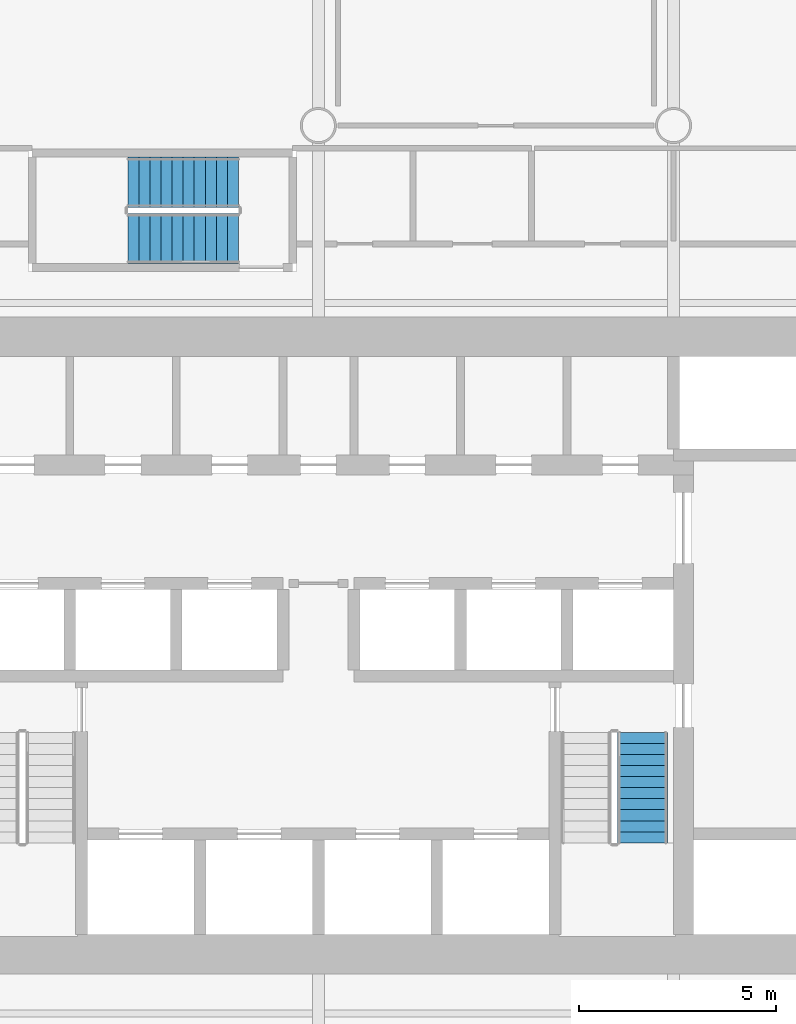
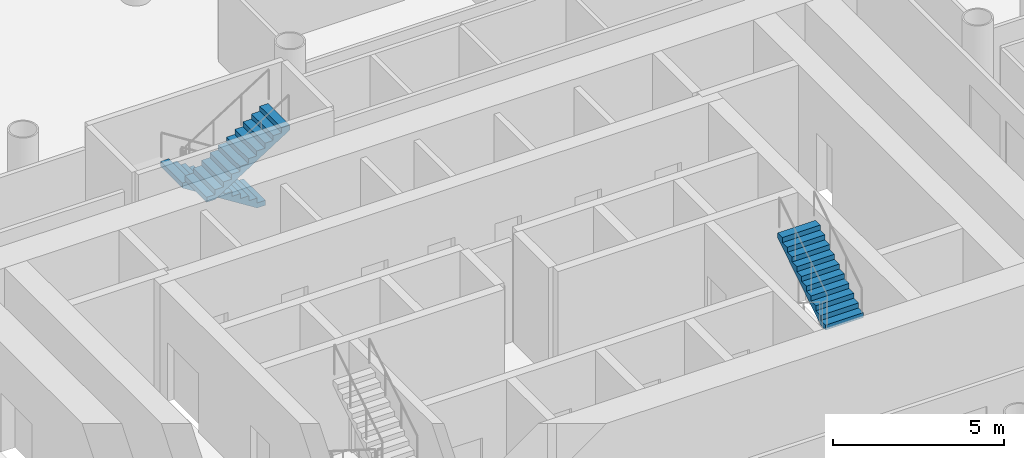
# One storey, part 20 of 25: 3 stair flights, 2 elements without a shape of their own.
"""IFC4 building model written with IfcOpenShell, lengths in metres."""

import ifcopenshell
import ifcopenshell.guid

model = None  # the IFC model being written
_history = None  # IfcOwnerHistory: only IFC2X3 demands one
_inside = {}  # id of a spatial element -> (the spatial element, [elements in it])
_under = {}  # id of a project, library or spatial element -> (it, [spatial elements below it])
_declared = {}  # id of a project -> (the project, [libraries it declares])
_typed = {}  # id of a type object -> (the type object, [elements of that type])
_made_of = {}  # id of a material, layer set ... -> (it, [elements and type objects made of it])


def new_model(schema):
    """Start an empty IFC model of exactly this schema.

    Asked for "IFC4X3", IfcOpenShell would pick the latest addendum, in which some entities
    have other attributes; the version numbers below select the first issue.
    IFC2X3 requires an IfcOwnerHistory on every rooted entity: one is made here for all.
    """
    global model, _history
    if schema == "IFC4X3":
        model = ifcopenshell.file(schema_version=(4, 3, 0, 0))
    else:
        model = ifcopenshell.file(schema=schema)
    _inside.clear()
    _under.clear()
    _declared.clear()
    _typed.clear()
    _made_of.clear()
    _history = None
    if model.schema == "IFC2X3":
        org = make("IfcOrganization", Name="unknown")
        user = make(
            "IfcPersonAndOrganization",
            ThePerson=make("IfcPerson", FamilyName="unknown"),
            TheOrganization=org,
        )
        app = make(
            "IfcApplication",
            ApplicationDeveloper=org,
            Version="unknown",
            ApplicationFullName="unknown",
            ApplicationIdentifier="unknown",
        )
        _history = make(
            "IfcOwnerHistory",
            OwningUser=user,
            OwningApplication=app,
            ChangeAction="ADDED",
            CreationDate=0,
        )
    return model


def make(cls, **values):
    """One entity of the class cls with the attributes given. An attribute that is None is left unset."""
    return model.create_entity(
        cls, **{name: value for name, value in values.items() if value is not None}
    )


def rooted(cls, **values):
    """An entity with a GlobalId (a new one), such as an element, a storey or a relation."""
    return make(cls, GlobalId=ifcopenshell.guid.new(), OwnerHistory=_history, **values)


def si_unit(unit_type, name, prefix=None):
    """IfcSIUnit, for example si_unit("LENGTHUNIT", "METRE", prefix="MILLI")."""
    return make("IfcSIUnit", UnitType=unit_type, Prefix=prefix, Name=name)


def assignment(units):
    """IfcUnitAssignment: the units of a project."""
    return None if units is None else make("IfcUnitAssignment", Units=units)


def point(xyz):
    """IfcCartesianPoint."""
    return None if xyz is None else make("IfcCartesianPoint", Coordinates=xyz)


def direction(xyz):
    """IfcDirection."""
    return None if xyz is None else make("IfcDirection", DirectionRatios=xyz)


def frame(location, z_axis=None, x_axis=None):
    """IfcAxis2Placement3D, a coordinate frame: its origin and axes. An axis left out is left unset."""
    return make(
        "IfcAxis2Placement3D",
        Location=point(location),
        Axis=direction(z_axis),
        RefDirection=direction(x_axis),
    )


def origin():
    """The frame at (0, 0, 0) with its axes left unset."""
    return frame((0.0, 0.0, 0.0))


def place(relative_to, where):
    """IfcLocalPlacement: puts the frame where relative to a parent placement (None: the world)."""
    return make(
        "IfcLocalPlacement", PlacementRelTo=relative_to, RelativePlacement=where
    )


def context(
    kind, dimensions, precision=None, world=None, true_north=None, identifier=None
):
    """IfcGeometricRepresentationContext, for example the 3D "Model" context."""
    return make(
        "IfcGeometricRepresentationContext",
        ContextIdentifier=identifier,
        ContextType=kind,
        CoordinateSpaceDimension=dimensions,
        Precision=precision,
        WorldCoordinateSystem=world,
        TrueNorth=true_north,
    )


def subcontext(parent, identifier, kind, view, scale=None):
    """IfcGeometricRepresentationSubContext, for example "Body" below "Model"."""
    return make(
        "IfcGeometricRepresentationSubContext",
        ContextIdentifier=identifier,
        ContextType=kind,
        ParentContext=parent,
        TargetScale=scale,
        TargetView=view,
    )


def project(units=None, contexts=None):
    """IfcProject with its units and contexts."""
    return rooted(
        "IfcProject",
        Name="project",
        RepresentationContexts=contexts,
        UnitsInContext=assignment(units),
    )


def spatial(cls, under=None, at=None, **own):
    """A site, building, storey or space (cls), placed at a placement, below another one or the project."""
    s = rooted(cls, ObjectPlacement=at, **own)
    if under is not None:
        _under.setdefault(under.id(), (under, []))[1].append(s)
    return s


def polyline(points):
    """IfcPolyline through the points."""
    return make("IfcPolyline", Points=[point(p) for p in points])


def outline(outer, holes=None, kind="AREA"):
    """IfcArbitraryClosedProfileDef: a profile drawn as a closed curve; with holes, ...WithVoids."""
    if holes is None:
        return make("IfcArbitraryClosedProfileDef", ProfileType=kind, OuterCurve=outer)
    return make(
        "IfcArbitraryProfileDefWithVoids",
        ProfileType=kind,
        OuterCurve=outer,
        InnerCurves=holes,
    )


def extrude(swept, where, along, depth):
    """IfcExtrudedAreaSolid: the profile swept, set in the frame where, extruded along a direction by depth."""
    return make(
        "IfcExtrudedAreaSolid",
        SweptArea=swept,
        Position=where,
        ExtrudedDirection=direction(along),
        Depth=depth,
    )


def shape(context_of_items, identifier, shape_type, items):
    """IfcShapeRepresentation: the items that make up one representation, for example the "Body"."""
    return make(
        "IfcShapeRepresentation",
        ContextOfItems=context_of_items,
        RepresentationIdentifier=identifier,
        RepresentationType=shape_type,
        Items=items,
    )


def material(Name=None, Category=None):
    """IfcMaterial."""
    return make("IfcMaterial", Name=Name, Category=Category)


def made_of(thing, what):
    """Note that an element or type object is made of a material, layer set ...; save() writes the relation."""
    if what is not None:
        _made_of.setdefault(what.id(), (what, []))[1].append(thing)
    return thing


def type_object(cls, material=None, **own):
    """A type object (cls), such as IfcWallType, which elements share."""
    return made_of(rooted(cls, **own), material)


def element(
    cls,
    number,
    at=None,
    inside=None,
    cuts=None,
    type_object=None,
    material=None,
    context=None,
    identifier="Body",
    shape_type=None,
    held_by="IfcProductDefinitionShape",
    body=None,
    shapes=None,
    **own,
):
    """One element of the class cls, such as IfcWall. Its Tag is "e" and its number.

    at: its placement. inside: the storey or other place that contains it. cuts: it is an
    opening in that element (IfcRelVoidsElement). A single representation is given by context,
    identifier, shape_type and body (its items); several are given by shapes. held_by: the class
    of the entity that holds the representations. save() writes the other relations.
    """
    e = rooted(cls, Tag="e%d" % number, ObjectPlacement=at, **own)
    if body is not None:
        shapes = [shape(context, identifier, shape_type, body)]
    if shapes is not None:
        e.Representation = make(held_by, Representations=shapes)
    if inside is not None:
        _inside.setdefault(inside.id(), (inside, []))[1].append(e)
    if cuts is not None:
        rooted(
            "IfcRelVoidsElement", RelatingBuildingElement=cuts, RelatedOpeningElement=e
        )
    if type_object is not None:
        _typed.setdefault(type_object.id(), (type_object, []))[1].append(e)
    return made_of(e, material)


def aggregate(whole, parts):
    """IfcRelAggregates: a whole, such as a stair, and the parts it consists of."""
    return rooted("IfcRelAggregates", RelatingObject=whole, RelatedObjects=parts)


def save(model, path):
    """Write the relations noted so far, then the file.

    IfcRelAggregates (storeys below a building ...), IfcRelContainedInSpatialStructure (elements
    in a storey), IfcRelDefinesByType, IfcRelAssociatesMaterial and IfcRelDeclares: one each for
    every whole, place, type object, material and project.
    """
    for whole, parts in _under.values():
        aggregate(whole, parts)
    for where, things in _inside.values():
        rooted(
            "IfcRelContainedInSpatialStructure",
            RelatedElements=things,
            RelatingStructure=where,
        )
    for kind, things in _typed.values():
        rooted("IfcRelDefinesByType", RelatedObjects=things, RelatingType=kind)
    for what, things in _made_of.values():
        rooted("IfcRelAssociatesMaterial", RelatedObjects=things, RelatingMaterial=what)
    for by, libraries in _declared.values():
        rooted("IfcRelDeclares", RelatingContext=by, RelatedDefinitions=libraries)
    model.write(path)


model = new_model("IFC4")

# Units and contexts
model_context = context("Model", 3, precision=1e-05, world=origin(), true_north=direction((0.0, 1.0)))
body_context = subcontext(model_context, "Body", "Model", "MODEL_VIEW")
ifc_project = project(units=[si_unit("LENGTHUNIT", "METRE"), si_unit("AREAUNIT", "SQUARE_METRE"), si_unit("VOLUMEUNIT", "CUBIC_METRE"), si_unit("PLANEANGLEUNIT", "RADIAN"), si_unit("MASSUNIT", "GRAM", prefix="KILO")], contexts=[model_context])

# Site, building, storey
site_placement = place(None, origin())
site = spatial("IfcSite", under=ifc_project, at=site_placement, CompositionType="ELEMENT")
building_placement = place(site_placement, origin())
building = spatial("IfcBuilding", under=site, at=building_placement, Name="Tskaro Facet Tower", CompositionType="ELEMENT")
storey_placement = place(building_placement, frame((0.0, 0.0, 22.5)))
storey = spatial("IfcBuildingStorey", under=building, at=storey_placement, Name="L04", CompositionType="ELEMENT", Elevation=22.5)

# Stair, stair flight
ifc_material = material(Name="Concrete C40/50", Category="concrete")
stair_type = type_object("IfcStairType", Name="ST-TWR", PredefinedType="HALF_TURN_STAIR", material=ifc_material)
stair_1_placement = place(storey_placement, origin())
stair_1 = element("IfcStair", 1, at=stair_1_placement, inside=storey, type_object=stair_type, Name="L04 Exit stair 2", PredefinedType="HALF_TURN_STAIR")
stair_flight_type = type_object("IfcStairFlightType", Name="SFL-RC", PredefinedType="STRAIGHT", material=ifc_material)
stair_flight_1_placement = place(storey_placement, frame((8.21240234375, -9.175048828125, 1.949951171875), z_axis=(0.0, 0.0, 1.0), x_axis=(0.0, 1.0, 0.0)))
stair_flight_1 = element("IfcStairFlight", 2, at=stair_flight_1_placement, type_object=stair_flight_type, Name="ST-2 flight 2", NumberOfRisers=11, NumberOfTreads=10, PredefinedType="STRAIGHT", RiserHeight=0.177272727, TreadLength=0.28, context=body_context, shape_type="SweptSolid", body=[
    extrude(outline(polyline([(0.0, 0.0), (0.0, 0.17724609375), (0.280029296875, 0.17724609375), (0.280029296875, 0.3544921875), (0.56005859375, 0.3544921875), (0.56005859375, 0.53173828125), (0.840087890625, 0.53173828125), (0.840087890625, 0.708984375), (1.1201171875, 0.708984375), (1.1201171875, 0.886474609375), (1.39990234375, 0.886474609375), (1.39990234375, 1.063720703125), (1.679931640625, 1.063720703125), (1.679931640625, 1.240966796875), (1.9599609375, 1.240966796875), (1.9599609375, 1.418212890625), (2.239990234375, 1.418212890625), (2.239990234375, 1.595458984375), (2.52001953125, 1.595458984375), (2.52001953125, 1.772705078125), (2.800048828125, 1.772705078125), (2.800048828125, 1.949951171875), (2.800048828125, 1.59521484375), (0.2802734375, 0.0), (0.0, 0.0)])), frame((0.0, 0.637451171875, 0.0), z_axis=(0.0, -1.0, 0.0), x_axis=(1.0, 0.0, 0.0)), (0.0, 0.0, 1.0), 1.27490234375),
])
aggregate(stair_1, [stair_flight_1])

# Stair, stair flights
stair_2_placement = place(storey_placement, origin())
stair_2 = element("IfcStair", 3, at=stair_2_placement, inside=storey, type_object=stair_type, Name="L04 Exit stair 3", PredefinedType="HALF_TURN_STAIR")
stair_flight_2_placement = place(storey_placement, frame((-2.02490234375, 7.5625, 0.0), z_axis=(0.0, 0.0, 1.0), x_axis=(-1.0, 0.0, 0.0)))
stair_flight_2 = element("IfcStairFlight", 4, at=stair_flight_2_placement, type_object=stair_flight_type, Name="ST-3 flight 1", NumberOfRisers=11, NumberOfTreads=10, PredefinedType="STRAIGHT", RiserHeight=0.177272727, TreadLength=0.28, context=body_context, shape_type="SweptSolid", body=[
    extrude(outline(polyline([(0.0, 0.0), (0.0, 0.17724609375), (0.280029296875, 0.17724609375), (0.280029296875, 0.3544921875), (0.56005859375, 0.3544921875), (0.56005859375, 0.53173828125), (0.840087890625, 0.53173828125), (0.840087890625, 0.708984375), (1.1201171875, 0.708984375), (1.1201171875, 0.886474609375), (1.39990234375, 0.886474609375), (1.39990234375, 1.063720703125), (1.679931640625, 1.063720703125), (1.679931640625, 1.240966796875), (1.9599609375, 1.240966796875), (1.9599609375, 1.418212890625), (2.239990234375, 1.418212890625), (2.239990234375, 1.595458984375), (2.52001953125, 1.595458984375), (2.52001953125, 1.772705078125), (2.800048828125, 1.772705078125), (2.800048828125, 1.949951171875), (2.800048828125, 1.59521484375), (0.2802734375, 0.0), (0.0, 0.0)])), frame((0.0, 0.637451171875, 0.0), z_axis=(0.0, -1.0, 0.0), x_axis=(1.0, 0.0, 0.0)), (0.0, 0.0, 1.0), 1.27490234375),
])
stair_flight_3_placement = place(storey_placement, frame((-4.824951171875, 6.137451171875, 1.949951171875), z_axis=(0.0, 0.0, 1.0), x_axis=(1.0, 0.0, 0.0)))
stair_flight_3 = element("IfcStairFlight", 5, at=stair_flight_3_placement, type_object=stair_flight_type, Name="ST-3 flight 2", NumberOfRisers=11, NumberOfTreads=10, PredefinedType="STRAIGHT", RiserHeight=0.177272727, TreadLength=0.28, context=body_context, shape_type="SweptSolid", body=[
    extrude(outline(polyline([(0.0, 0.0), (0.0, 0.17724609375), (0.280029296875, 0.17724609375), (0.280029296875, 0.3544921875), (0.56005859375, 0.3544921875), (0.56005859375, 0.53173828125), (0.840087890625, 0.53173828125), (0.840087890625, 0.708984375), (1.1201171875, 0.708984375), (1.1201171875, 0.886474609375), (1.39990234375, 0.886474609375), (1.39990234375, 1.063720703125), (1.679931640625, 1.063720703125), (1.679931640625, 1.240966796875), (1.9599609375, 1.240966796875), (1.9599609375, 1.418212890625), (2.239990234375, 1.418212890625), (2.239990234375, 1.595458984375), (2.52001953125, 1.595458984375), (2.52001953125, 1.772705078125), (2.800048828125, 1.772705078125), (2.800048828125, 1.949951171875), (2.800048828125, 1.59521484375), (0.2802734375, 0.0), (0.0, 0.0)])), frame((0.0, 0.637451171875, 0.0), z_axis=(0.0, -1.0, 0.0), x_axis=(1.0, 0.0, 0.0)), (0.0, 0.0, 1.0), 1.27490234375),
])
aggregate(stair_2, [stair_flight_2, stair_flight_3])

save(model, "model.ifc")
